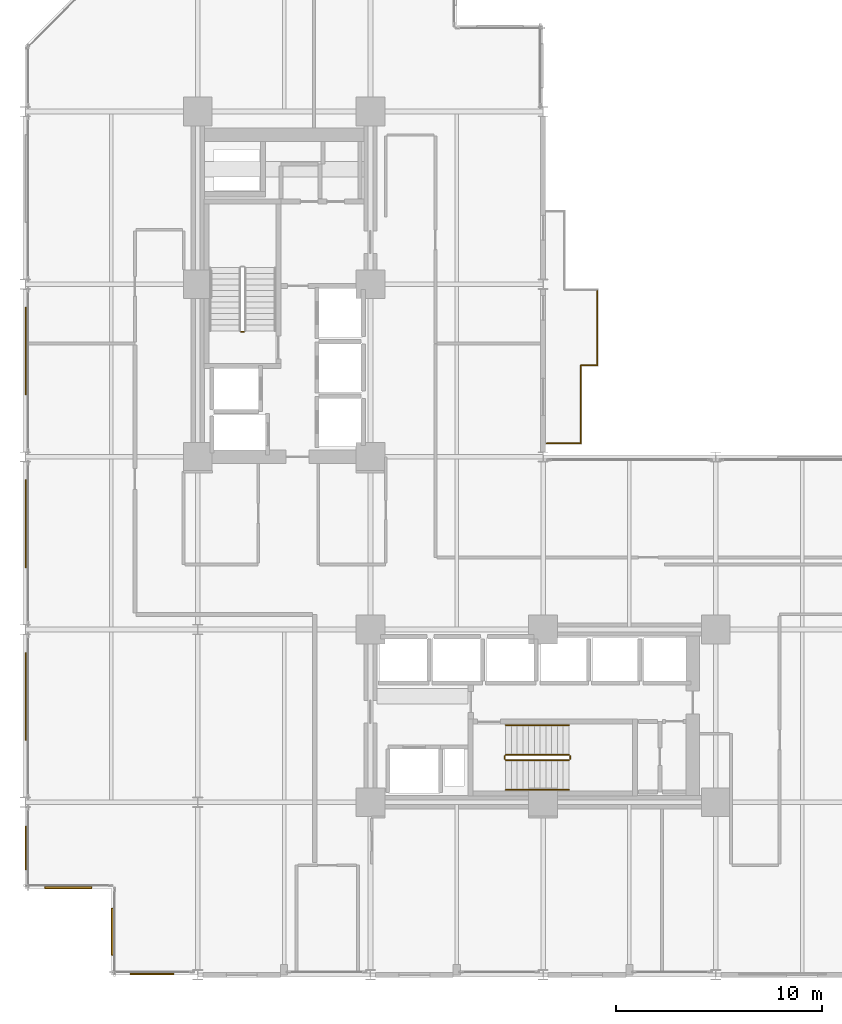
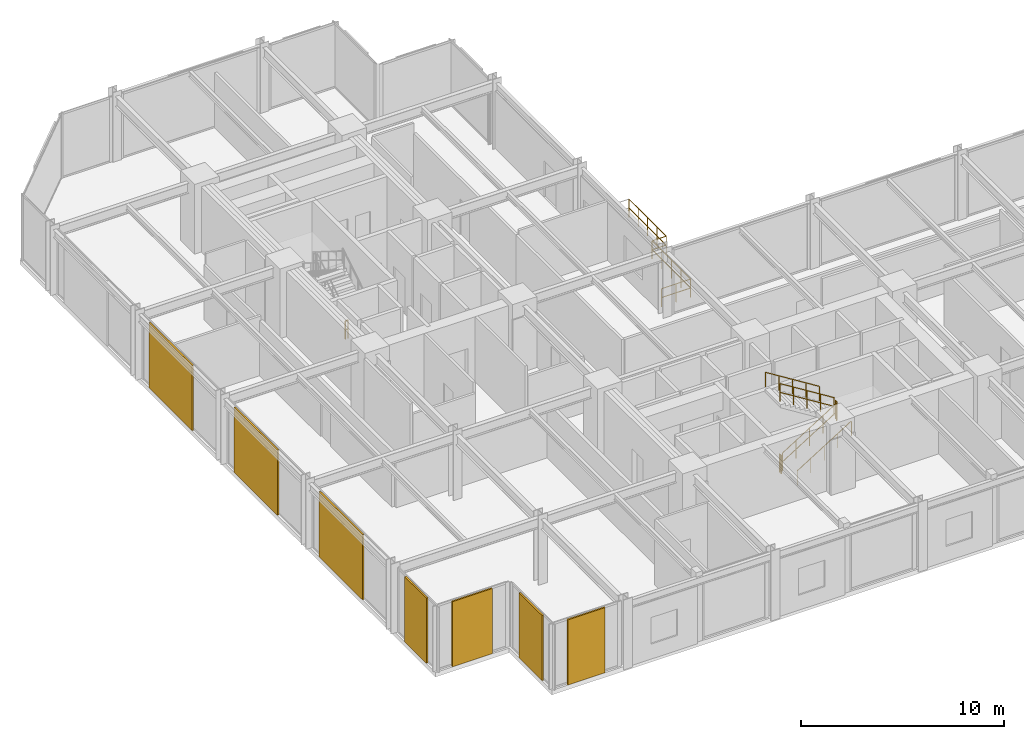
# One storey, part 22 of 24: 11 railings, 7 coverings.
"""IFC4 building model written with IfcOpenShell, lengths in metres."""

from ifc_helpers import new_model, si_unit, direction, frame, origin, origin_2d, place, context, subcontext, project, spatial, rectangle, circle, extrude, material, layer, layer_set, type_object, element, save


model = new_model("IFC4")

# Units and contexts
model_context = context("Model", 3, precision=1e-05, world=origin(), true_north=direction((0.0, 1.0)))
body_context = subcontext(model_context, "Body", "Model", "MODEL_VIEW")
ifc_project = project(units=[si_unit("LENGTHUNIT", "METRE"), si_unit("AREAUNIT", "SQUARE_METRE"), si_unit("VOLUMEUNIT", "CUBIC_METRE"), si_unit("PLANEANGLEUNIT", "RADIAN"), si_unit("MASSUNIT", "GRAM", prefix="KILO")], contexts=[model_context])

# Site, building, storey
site_placement = place(None, origin())
site = spatial("IfcSite", under=ifc_project, at=site_placement, CompositionType="ELEMENT")
building_placement = place(site_placement, origin())
building = spatial("IfcBuilding", under=site, at=building_placement, Name="Nerrivon Quay Data Exchange", CompositionType="ELEMENT")
storey_placement = place(building_placement, frame((0.0, 0.0, 50.0)))
storey = spatial("IfcBuildingStorey", under=building, at=storey_placement, Name="L11", CompositionType="ELEMENT", Elevation=50.0)

# Coverings
ifc_material_1 = material(Name="Architectural terracotta ceramic", Category="masonry")
ifc_layer = layer(ifc_material_1, 0.090087890625)
ifc_layer_set = layer_set([ifc_layer], Name="Architectural terracotta ceramic")
covering_type = type_object("IfcCoveringType", Name="COV-SCR-TERR", PredefinedType="CLADDING", material=ifc_layer_set)
covering_1_placement = place(storey_placement, frame((6.175048828125, 0.044921875, 0.0), z_axis=(0.0, 0.0, 1.0), x_axis=(-1.0, 0.0, 0.0)))
element("IfcCovering", 1, at=covering_1_placement, inside=storey, type_object=covering_type, Name="L11 Perforated Terracotta SOLAR SCREEN Cassette", PredefinedType="CLADDING", context=body_context, shape_type="SweptSolid", body=[
    extrude(rectangle(XDim=2.133056640625, YDim=0.090087890625, at=origin_2d()), origin(), (0.0, 0.0, 1.0), 3.925048828125),
])
for number, where, z_axis, x_axis, name in (
    (2, (4.2451171875, 2.10009765625, 0.0), (0.0, 0.0, 1.0), (0.0, 1.0, 0.0), "L11 Perforated Terracotta SOLAR SCREEN Cassette"),
    (3, (2.10009765625, 4.2451171875, 0.0), (0.0, 0.0, 1.0), (-1.0, 0.0, 0.0), "L11 Perforated Terracotta SOLAR SCREEN Cassette"),
):
    element("IfcCovering", number, at=place(storey_placement, frame(where, z_axis=z_axis, x_axis=x_axis)), inside=storey, type_object=covering_type, Name=name, PredefinedType="CLADDING", context=body_context, shape_type="SweptSolid", body=[
        extrude(rectangle(XDim=2.26806640625, YDim=0.090087890625, at=origin_2d()), origin(), (0.0, 0.0, 1.0), 3.925048828125),
    ])
covering_2_placement = place(storey_placement, frame((0.044921875, 6.175048828125, 0.0), z_axis=(0.0, 0.0, 1.0), x_axis=(0.0, 1.0, 0.0)))
element("IfcCovering", 4, at=covering_2_placement, inside=storey, type_object=covering_type, Name="L11 Perforated Terracotta SOLAR SCREEN Cassette", PredefinedType="CLADDING", context=body_context, shape_type="SweptSolid", body=[
    extrude(rectangle(XDim=2.133056640625, YDim=0.090087890625, at=origin_2d()), origin(), (0.0, 0.0, 1.0), 3.925048828125),
])
for number, where, z_axis, x_axis, name in (
    (5, (0.044921875, 13.548095703125, 0.0), (0.0, 0.0, 1.0), (0.0, 1.0, 0.0), "L11 Perforated Terracotta SOLAR SCREEN Cassette"),
    (6, (0.044921875, 21.947998046875, 0.0), (0.0, 0.0, 1.0), (0.0, 1.0, 0.0), "L11 Perforated Terracotta SOLAR SCREEN Cassette"),
    (7, (0.044921875, 30.347900390625, 0.0), (0.0, 0.0, 1.0), (0.0, 1.0, 0.0), "L11 Perforated Terracotta SOLAR SCREEN Cassette"),
):
    element("IfcCovering", number, at=place(storey_placement, frame(where, z_axis=z_axis, x_axis=x_axis)), inside=storey, type_object=covering_type, Name=name, PredefinedType="CLADDING", context=body_context, shape_type="SweptSolid", body=[
        extrude(rectangle(XDim=4.26611328125, YDim=0.090087890625, at=origin_2d()), origin(), (0.0, 0.0, 1.0), 3.925048828125),
    ])

# Railings
ifc_material_2 = material(Name="Steel Grade C350L0 (350 MPa)", Category="steel")
railing_type_1 = type_object("IfcRailingType", Name="RAIL-GUARD-GR2", PredefinedType="BALUSTRADE", material=ifc_material_2)
railing_1_placement = place(storey_placement, frame((27.0400390625, 29.659912109375, 0.0)))
element("IfcRailing", 8, at=railing_1_placement, inside=storey, type_object=railing_type_1, Name="L11 Verandah Balcony Guard 1.1 1", PredefinedType="BALUSTRADE", context=body_context, shape_type="SweptSolid", body=[
    extrude(circle(Radius=0.02392578125, at=origin_2d()), frame((0.0, 0.0, 1.09619140625), z_axis=(0.0, -1.0, 0.0), x_axis=(1.0, 0.0, 0.0)), (0.0, 0.0, 1.0), 3.7998046875),
    extrude(circle(Radius=0.02392578125, at=origin_2d()), frame((0.0, 0.0, 0.56005859375), z_axis=(0.0, -1.0, 0.0), x_axis=(1.0, 0.0, 0.0)), (0.0, 0.0, 1.0), 3.7998046875),
    extrude(circle(Radius=0.02099609375, at=origin_2d()), origin(), (0.0, 0.0, 1.0), 1.072021484375),
    extrude(circle(Radius=0.02099609375, at=origin_2d()), frame((0.0, -0.949951171875, 0.0)), (0.0, 0.0, 1.0), 1.072021484375),
    extrude(circle(Radius=0.02099609375, at=origin_2d()), frame((0.0, -1.89990234375, 0.0)), (0.0, 0.0, 1.0), 1.072021484375),
    extrude(circle(Radius=0.02099609375, at=origin_2d()), frame((0.0, -2.849853515625, 0.0)), (0.0, 0.0, 1.0), 1.072021484375),
    extrude(circle(Radius=0.02099609375, at=origin_2d()), frame((0.0, -3.7998046875, 0.0)), (0.0, 0.0, 1.0), 1.072021484375),
])
railing_2_placement = place(storey_placement, frame((27.0400390625, 25.860107421875, 0.0)))
element("IfcRailing", 9, at=railing_2_placement, inside=storey, type_object=railing_type_1, Name="L11 Verandah Balcony Guard 1.2 1", PredefinedType="BALUSTRADE", context=body_context, shape_type="SweptSolid", body=[
    extrude(circle(Radius=0.02392578125, at=origin_2d()), frame((0.0, 0.0, 1.09619140625), z_axis=(-1.0, 0.0, 0.0), x_axis=(0.0, -1.0, 0.0)), (0.0, 0.0, 1.0), 1.66015625),
    extrude(circle(Radius=0.02392578125, at=origin_2d()), frame((0.0, 0.0, 0.56005859375), z_axis=(-1.0, 0.0, 0.0), x_axis=(0.0, -1.0, 0.0)), (0.0, 0.0, 1.0), 1.66015625),
    extrude(circle(Radius=0.02099609375, at=origin_2d()), origin(), (0.0, 0.0, 1.0), 1.072021484375),
    extrude(circle(Radius=0.02099609375, at=origin_2d()), frame((-0.830078125, 0.0, 0.0)), (0.0, 0.0, 1.0), 1.072021484375),
    extrude(circle(Radius=0.02099609375, at=origin_2d()), frame((-1.66015625, 0.0, 0.0)), (0.0, 0.0, 1.0), 1.072021484375),
])
railing_3_placement = place(storey_placement, frame((27.840087890625, 33.340087890625, 0.0)))
element("IfcRailing", 10, at=railing_3_placement, inside=storey, type_object=railing_type_1, Name="L11 Verandah Balcony Guard 1.6 1", PredefinedType="BALUSTRADE", context=body_context, shape_type="SweptSolid", body=[
    extrude(circle(Radius=0.02392578125, at=origin_2d()), frame((0.0, 0.0, 1.09619140625), z_axis=(0.0, -1.0, 0.0), x_axis=(1.0, 0.0, 0.0)), (0.0, 0.0, 1.0), 3.68017578125),
    extrude(circle(Radius=0.02392578125, at=origin_2d()), frame((0.0, 0.0, 0.56005859375), z_axis=(0.0, -1.0, 0.0), x_axis=(1.0, 0.0, 0.0)), (0.0, 0.0, 1.0), 3.68017578125),
    extrude(circle(Radius=0.02099609375, at=origin_2d()), origin(), (0.0, 0.0, 1.0), 1.072021484375),
    extrude(circle(Radius=0.02099609375, at=origin_2d()), frame((0.0, -0.919921875, 0.0)), (0.0, 0.0, 1.0), 1.072021484375),
    extrude(circle(Radius=0.02099609375, at=origin_2d()), frame((0.0, -1.840087890625, 0.0)), (0.0, 0.0, 1.0), 1.072021484375),
    extrude(circle(Radius=0.02099609375, at=origin_2d()), frame((0.0, -2.76025390625, 0.0)), (0.0, 0.0, 1.0), 1.072021484375),
    extrude(circle(Radius=0.02099609375, at=origin_2d()), frame((0.0, -3.68017578125, 0.0)), (0.0, 0.0, 1.0), 1.072021484375),
])
railing_4_placement = place(storey_placement, frame((27.840087890625, 29.659912109375, 0.0)))
element("IfcRailing", 11, at=railing_4_placement, inside=storey, type_object=railing_type_1, Name="L11 Verandah Balcony Guard 1.7 1", PredefinedType="BALUSTRADE", context=body_context, shape_type="SweptSolid", body=[
    extrude(circle(Radius=0.02392578125, at=origin_2d()), frame((0.0, 0.0, 1.09619140625), z_axis=(-1.0, 0.0, 0.0), x_axis=(0.0, -1.0, 0.0)), (0.0, 0.0, 1.0), 0.800048828125),
    extrude(circle(Radius=0.02392578125, at=origin_2d()), frame((0.0, 0.0, 0.56005859375), z_axis=(-1.0, 0.0, 0.0), x_axis=(0.0, -1.0, 0.0)), (0.0, 0.0, 1.0), 0.800048828125),
    extrude(circle(Radius=0.02099609375, at=origin_2d()), origin(), (0.0, 0.0, 1.0), 1.072021484375),
    extrude(circle(Radius=0.02099609375, at=origin_2d()), frame((-0.800048828125, 0.0, 0.0)), (0.0, 0.0, 1.0), 1.072021484375),
])
railing_type_2 = type_object("IfcRailingType", Name="RAIL-HAND-HR1", PredefinedType="HANDRAIL", material=ifc_material_2)
railing_5_placement = place(storey_placement, frame((23.3798828125, 9.0, 0.175048828125)))
element("IfcRailing", 12, at=railing_5_placement, inside=storey, type_object=railing_type_2, Name="L11 ST02 stair handrail 1", PredefinedType="HANDRAIL", context=body_context, shape_type="SweptSolid", body=[
    extrude(circle(Radius=0.02392578125, at=origin_2d()), frame((0.0, 0.0, 0.8759765625), z_axis=(0.847998304005, 0.0, 0.529998940003), x_axis=(0.0, 1.0, 0.0)), (0.0, 0.0, 1.0), 3.632080078125),
    extrude(circle(Radius=0.02099609375, at=origin_2d()), origin(), (0.0, 0.0, 1.0), 0.851806640625),
    extrude(circle(Radius=0.02099609375, at=origin_2d()), frame((0.77001953125, 0.0, 0.481201171875)), (0.0, 0.0, 1.0), 0.851806640625),
    extrude(circle(Radius=0.02099609375, at=origin_2d()), frame((1.5400390625, 0.0, 0.96240234375)), (0.0, 0.0, 1.0), 0.851806640625),
    extrude(circle(Radius=0.02099609375, at=origin_2d()), frame((2.31005859375, 0.0, 1.44384765625)), (0.0, 0.0, 1.0), 0.851806640625),
    extrude(circle(Radius=0.02099609375, at=origin_2d()), frame((3.080078125, 0.0, 1.925048828125)), (0.0, 0.0, 1.0), 0.851806640625),
])
railing_6_placement = place(storey_placement, frame((26.4599609375, 12.14990234375, 2.27490234375)))
element("IfcRailing", 13, at=railing_6_placement, inside=storey, type_object=railing_type_2, Name="L11 ST02 stair handrail 2", PredefinedType="HANDRAIL", context=body_context, shape_type="SweptSolid", body=[
    extrude(circle(Radius=0.02392578125, at=origin_2d()), frame((0.0, 0.0, 0.8759765625), z_axis=(-0.847998304005, 0.0, 0.529998940003), x_axis=(0.0, -1.0, 0.0)), (0.0, 0.0, 1.0), 3.632080078125),
    extrude(circle(Radius=0.02099609375, at=origin_2d()), origin(), (0.0, 0.0, 1.0), 0.851806640625),
    extrude(circle(Radius=0.02099609375, at=origin_2d()), frame((-0.77001953125, 0.0, 0.481201171875)), (0.0, 0.0, 1.0), 0.851806640625),
    extrude(circle(Radius=0.02099609375, at=origin_2d()), frame((-1.5400390625, 0.0, 0.96240234375)), (0.0, 0.0, 1.0), 0.851806640625),
    extrude(circle(Radius=0.02099609375, at=origin_2d()), frame((-2.31005859375, 0.0, 1.44384765625)), (0.0, 0.0, 1.0), 0.851806640625),
    extrude(circle(Radius=0.02099609375, at=origin_2d()), frame((-3.080078125, 0.0, 1.925048828125)), (0.0, 0.0, 1.0), 0.851806640625),
])
railing_type_3 = type_object("IfcRailingType", Name="RAIL-STAIR-GR1", PredefinedType="BALUSTRADE", material=ifc_material_2)
railing_7_placement = place(storey_placement, frame((10.64990234375, 31.280029296875, 0.0)))
element("IfcRailing", 14, at=railing_7_placement, inside=storey, type_object=railing_type_3, Name="L11 ST01 stair guard 4", PredefinedType="BALUSTRADE", context=body_context, shape_type="SweptSolid", body=[
    extrude(circle(Radius=0.02392578125, at=origin_2d()), frame((0.0, 0.0, 1.076171875), z_axis=(-1.0, 0.0, 0.0), x_axis=(0.0, -1.0, 0.0)), (0.0, 0.0, 1.0), 0.14990234375),
    extrude(circle(Radius=0.02392578125, at=origin_2d()), frame((0.0, 0.0, 0.550048828125), z_axis=(-1.0, 0.0, 0.0), x_axis=(0.0, -1.0, 0.0)), (0.0, 0.0, 1.0), 0.14990234375),
    extrude(circle(Radius=0.02099609375, at=origin_2d()), origin(), (0.0, 0.0, 1.0), 1.052001953125),
    extrude(circle(Radius=0.02099609375, at=origin_2d()), frame((-0.14990234375, 0.0, 0.0)), (0.0, 0.0, 1.0), 1.052001953125),
])
railing_8_placement = place(storey_placement, frame((23.3798828125, 10.449951171875, 0.175048828125)))
element("IfcRailing", 15, at=railing_8_placement, inside=storey, type_object=railing_type_3, Name="L11 ST02 stair guard 1", PredefinedType="BALUSTRADE", context=body_context, shape_type="SweptSolid", body=[
    extrude(circle(Radius=0.02392578125, at=origin_2d()), frame((0.0, 0.0, 1.076171875), z_axis=(0.847998304005, 0.0, 0.529998940003), x_axis=(0.0, 1.0, 0.0)), (0.0, 0.0, 1.0), 3.632080078125),
    extrude(circle(Radius=0.02392578125, at=origin_2d()), frame((0.0, 0.0, 0.550048828125), z_axis=(0.847998304005, 0.0, 0.529998940003), x_axis=(0.0, 1.0, 0.0)), (0.0, 0.0, 1.0), 3.632080078125),
    extrude(circle(Radius=0.02099609375, at=origin_2d()), origin(), (0.0, 0.0, 1.0), 1.052001953125),
    extrude(circle(Radius=0.02099609375, at=origin_2d()), frame((0.77001953125, 0.0, 0.481201171875)), (0.0, 0.0, 1.0), 1.052001953125),
    extrude(circle(Radius=0.02099609375, at=origin_2d()), frame((1.5400390625, 0.0, 0.96240234375)), (0.0, 0.0, 1.0), 1.052001953125),
    extrude(circle(Radius=0.02099609375, at=origin_2d()), frame((2.31005859375, 0.0, 1.44384765625)), (0.0, 0.0, 1.0), 1.052001953125),
    extrude(circle(Radius=0.02099609375, at=origin_2d()), frame((3.080078125, 0.0, 1.925048828125)), (0.0, 0.0, 1.0), 1.052001953125),
])
railing_9_placement = place(storey_placement, frame((26.510009765625, 10.5, 2.10009765625)))
element("IfcRailing", 16, at=railing_9_placement, inside=storey, type_object=railing_type_3, Name="L11 ST02 stair guard 2", PredefinedType="BALUSTRADE", context=body_context, shape_type="SweptSolid", body=[
    extrude(circle(Radius=0.02392578125, at=origin_2d()), frame((0.0, 0.0, 1.076171875), z_axis=(0.0, 1.0, 0.0), x_axis=(-1.0, 0.0, 0.0)), (0.0, 0.0, 1.0), 0.14990234375),
    extrude(circle(Radius=0.02392578125, at=origin_2d()), frame((0.0, 0.0, 0.550048828125), z_axis=(0.0, 1.0, 0.0), x_axis=(-1.0, 0.0, 0.0)), (0.0, 0.0, 1.0), 0.14990234375),
    extrude(circle(Radius=0.02099609375, at=origin_2d()), origin(), (0.0, 0.0, 1.0), 1.052001953125),
    extrude(circle(Radius=0.02099609375, at=origin_2d()), frame((0.0, 0.14990234375, 0.0)), (0.0, 0.0, 1.0), 1.052001953125),
])
railing_10_placement = place(storey_placement, frame((26.4599609375, 10.699951171875, 2.27490234375)))
element("IfcRailing", 17, at=railing_10_placement, inside=storey, type_object=railing_type_3, Name="L11 ST02 stair guard 3", PredefinedType="BALUSTRADE", context=body_context, shape_type="SweptSolid", body=[
    extrude(circle(Radius=0.02392578125, at=origin_2d()), frame((0.0, 0.0, 1.076171875), z_axis=(-0.847998304005, 0.0, 0.529998940003), x_axis=(0.0, -1.0, 0.0)), (0.0, 0.0, 1.0), 3.632080078125),
    extrude(circle(Radius=0.02392578125, at=origin_2d()), frame((0.0, 0.0, 0.550048828125), z_axis=(-0.847998304005, 0.0, 0.529998940003), x_axis=(0.0, -1.0, 0.0)), (0.0, 0.0, 1.0), 3.632080078125),
    extrude(circle(Radius=0.02099609375, at=origin_2d()), origin(), (0.0, 0.0, 1.0), 1.052001953125),
    extrude(circle(Radius=0.02099609375, at=origin_2d()), frame((-0.77001953125, 0.0, 0.481201171875)), (0.0, 0.0, 1.0), 1.052001953125),
    extrude(circle(Radius=0.02099609375, at=origin_2d()), frame((-1.5400390625, 0.0, 0.96240234375)), (0.0, 0.0, 1.0), 1.052001953125),
    extrude(circle(Radius=0.02099609375, at=origin_2d()), frame((-2.31005859375, 0.0, 1.44384765625)), (0.0, 0.0, 1.0), 1.052001953125),
    extrude(circle(Radius=0.02099609375, at=origin_2d()), frame((-3.080078125, 0.0, 1.925048828125)), (0.0, 0.0, 1.0), 1.052001953125),
])
railing_11_placement = place(storey_placement, frame((23.330078125, 10.5, 0.0)))
element("IfcRailing", 18, at=railing_11_placement, inside=storey, type_object=railing_type_3, Name="L11 ST02 stair guard 4", PredefinedType="BALUSTRADE", context=body_context, shape_type="SweptSolid", body=[
    extrude(circle(Radius=0.02392578125, at=origin_2d()), frame((0.0, 0.0, 1.076171875), z_axis=(0.0, 1.0, 0.0), x_axis=(-1.0, 0.0, 0.0)), (0.0, 0.0, 1.0), 0.14990234375),
    extrude(circle(Radius=0.02392578125, at=origin_2d()), frame((0.0, 0.0, 0.550048828125), z_axis=(0.0, 1.0, 0.0), x_axis=(-1.0, 0.0, 0.0)), (0.0, 0.0, 1.0), 0.14990234375),
    extrude(circle(Radius=0.02099609375, at=origin_2d()), origin(), (0.0, 0.0, 1.0), 1.052001953125),
    extrude(circle(Radius=0.02099609375, at=origin_2d()), frame((0.0, 0.14990234375, 0.0)), (0.0, 0.0, 1.0), 1.052001953125),
])

save(model, "model.ifc")
